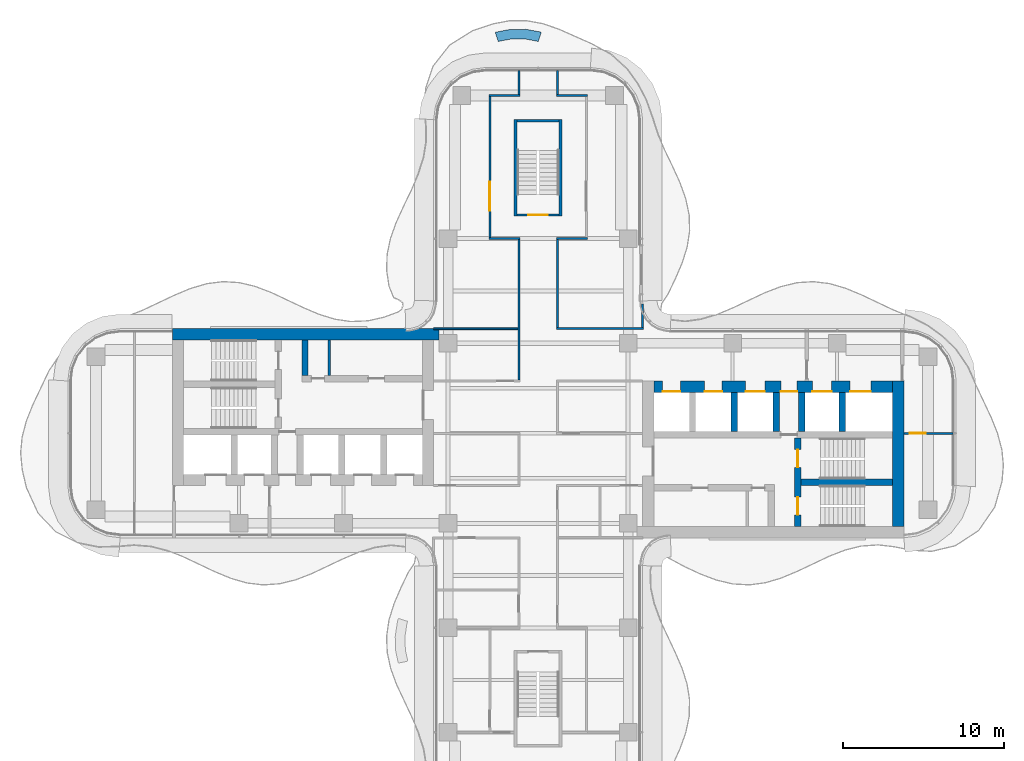
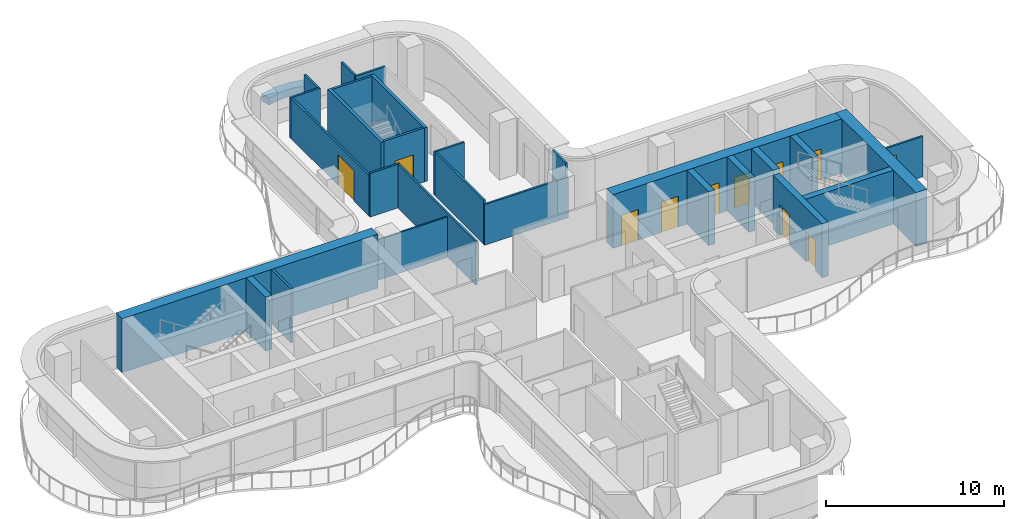
# One storey, part 15 of 18: 29 walls, 11 doors, 11 openings.
"""IFC4 building model written with IfcOpenShell, lengths in metres."""

from ifc_helpers import new_model, si_unit, direction, frame, frame_2d, origin, place, context, subcontext, project, spatial, polyline, rectangle, outline, extrude, source, transform, mapped, material, layer, layer_set, type_object, element, fill, save


model = new_model("IFC4")

# Units and contexts
model_context = context("Model", 3, precision=1e-05, world=origin(), true_north=direction((0.0, 1.0)))
body_context = subcontext(model_context, "Body", "Model", "MODEL_VIEW")
ifc_project = project(units=[si_unit("LENGTHUNIT", "METRE"), si_unit("AREAUNIT", "SQUARE_METRE"), si_unit("VOLUMEUNIT", "CUBIC_METRE"), si_unit("PLANEANGLEUNIT", "RADIAN"), si_unit("MASSUNIT", "GRAM", prefix="KILO")], contexts=[model_context])

# Site, building, storey
site_placement = place(None, origin())
site = spatial("IfcSite", under=ifc_project, at=site_placement, CompositionType="ELEMENT")
building_placement = place(site_placement, origin())
building = spatial("IfcBuilding", under=site, at=building_placement, Name="Trellis Farm Tower", CompositionType="ELEMENT")
storey_placement = place(building_placement, frame((0.0, 0.0, 224.60009765625)))
storey = spatial("IfcBuildingStorey", under=building, at=storey_placement, Name="L49", CompositionType="ELEMENT", Elevation=224.60009765625)

# Walls
ifc_material_1 = material(Name="Sandstone faced masonry planter", Category="masonry")
ifc_layer_1 = layer(ifc_material_1, 0.60009765625)
ifc_layer_set_1 = layer_set([ifc_layer_1], Name="PLANTER BED 600")
wall_type_1 = type_object("IfcWallType", Name="PLANTER BED 600", PredefinedType="USERDEFINED", material=ifc_layer_set_1)
wall_1_placement = place(storey_placement, origin())
element("IfcWall", 1, at=wall_1_placement, inside=storey, type_object=wall_type_1, Name="PLANTER bed", ObjectType="PLANTER", PredefinedType="USERDEFINED", context=body_context, shape_type="SweptSolid", body=[
    extrude(outline(polyline([(-1.714599609375, 25.121826171875), (-0.784912109375, 25.12548828125), (0.12158203125, 24.9609375), (0.20068359375, 24.934326171875), (0.009033203125, 24.36572265625), (-0.837890625, 24.525146484375), (-1.657470703125, 24.52197265625), (-2.483154296875, 24.365234375), (-2.67138671875, 24.934814453125), (-1.714599609375, 25.121826171875)])), origin(), (0.0, 0.0, 1.0), 0.5),
])
ifc_material_2 = material(Name="Concrete C60/75", Category="concrete")
ifc_layer_2 = layer(ifc_material_2, 0.699951171875)
ifc_layer_set_2 = layer_set([ifc_layer_2], Name="CORE OUTER WALL 700 CONCRETE C60/75")
wall_type_2 = type_object("IfcWallType", Name="CORE OUTER WALL 700 CONCRETE C60/75", PredefinedType="SHEAR", material=ifc_layer_set_2)
shared_shape_1 = source(origin(), body_context, "Body", "SweptSolid", [
    extrude(rectangle(XDim=9.050048828125, YDim=0.699951171875, at=frame_2d((4.52490234375, 0.0))), origin(), (0.0, 0.0, 1.0), 3.699951171875),
])
wall_2_placement = place(storey_placement, frame((22.39990234375, -5.800048828125, 0.0), z_axis=(0.0, 0.0, 1.0), x_axis=(0.0, 1.0, 0.0)))
element("IfcWall", 2, at=wall_2_placement, inside=storey, type_object=wall_type_2, Name="Core wall", PredefinedType="SHEAR", context=body_context, shape_type="MappedRepresentation", body=[
    mapped(shared_shape_1, transform((0.0, 0.0, 0.0))),
])
ifc_layer_3 = layer(ifc_material_2, 0.39990234375)
ifc_layer_set_3 = layer_set([ifc_layer_3], Name="CORE INNER WALL 400 CONCRETE C60/75")
wall_type_3 = type_object("IfcWallType", Name="CORE INNER WALL 400 CONCRETE C60/75", PredefinedType="SHEAR", material=ifc_layer_set_3)
shared_shape_2 = source(origin(), body_context, "Body", "SweptSolid", [
    extrude(rectangle(XDim=2.449951171875, YDim=0.39990234375, at=frame_2d((1.22509765625, 0.0))), origin(), (0.0, 0.0, 1.0), 3.699951171875),
])
for number, where, z_axis, x_axis, name in (
    (3, (12.199951171875, 0.10009765625, 0.0), (0.0, 0.0, 1.0), (0.0, 1.0, 0.0), "Core wall"),
    (4, (14.800048828125, 0.10009765625, 0.0), (0.0, 0.0, 1.0), (0.0, 1.0, 0.0), "Core wall"),
    (5, (16.39990234375, 0.10009765625, 0.0), (0.0, 0.0, 1.0), (0.0, 1.0, 0.0), "Core wall"),
    (6, (18.89990234375, 0.10009765625, 0.0), (0.0, 0.0, 1.0), (0.0, 1.0, 0.0), "Core wall"),
):
    element("IfcWall", number, at=place(storey_placement, frame(where, z_axis=z_axis, x_axis=x_axis)), inside=storey, type_object=wall_type_3, Name=name, PredefinedType="SHEAR", context=body_context, shape_type="MappedRepresentation", body=[
        mapped(shared_shape_2, transform((0.0, 0.0, 0.0))),
    ])

# Wall, openings, doors
shared_shape_3 = source(origin(), body_context, "Body", "SweptSolid", [
    extrude(rectangle(XDim=14.85009765625, YDim=0.699951171875, at=frame_2d((7.425048828125, 0.0))), origin(), (0.0, 0.0, 1.0), 3.699951171875),
])
wall_3_placement = place(storey_placement, frame((7.199951171875, 2.89990234375, 0.0), z_axis=(0.0, 0.0, 1.0), x_axis=(1.0, 0.0, 0.0)))
wall_3 = element("IfcWall", 7, at=wall_3_placement, inside=storey, type_object=wall_type_2, Name="Core wall", PredefinedType="SHEAR", context=body_context, shape_type="MappedRepresentation", body=[
    mapped(shared_shape_3, transform((0.0, 0.0, 0.0))),
])
shared_shape_4 = source(origin(), body_context, "Body", "SweptSolid", [
    extrude(rectangle(XDim=1.10009765625, YDim=2.10009765625, at=frame_2d((0.550048828125, 1.050048828125))), frame((0.0, 0.360107421875, 0.0), z_axis=(0.0, -1.0, 0.0), x_axis=(1.0, 0.0, 0.0)), (0.0, 0.0, 1.0), 0.72021484375),
])
opening_1_placement = place(wall_3_placement, frame((0.550048828125, 0.0, 0.0)))
opening_1 = element("IfcOpeningElement", 8, at=opening_1_placement, cuts=wall_3, Name="Opening LD4", PredefinedType="OPENING", context=body_context, shape_type="MappedRepresentation", body=[
    mapped(shared_shape_4, transform((0.0, 0.0, 0.0))),
])
opening_2_placement = place(wall_3_placement, frame((3.14990234375, 0.0, 0.0)))
opening_2 = element("IfcOpeningElement", 9, at=opening_2_placement, cuts=wall_3, Name="Opening LD5", PredefinedType="OPENING", context=body_context, shape_type="MappedRepresentation", body=[
    mapped(shared_shape_4, transform((0.0, 0.0, 0.0))),
])
shared_shape_5 = source(origin(), body_context, "Body", "SweptSolid", [
    extrude(rectangle(XDim=1.199951171875, YDim=2.10009765625, at=frame_2d((0.60009765625, 1.050048828125))), frame((0.0, 0.360107421875, 0.0), z_axis=(0.0, -1.0, 0.0), x_axis=(1.0, 0.0, 0.0)), (0.0, 0.0, 1.0), 0.72021484375),
])
opening_3_placement = place(wall_3_placement, frame((5.699951171875, 0.0, 0.0)))
opening_3 = element("IfcOpeningElement", 10, at=opening_3_placement, cuts=wall_3, Name="Opening LD6", PredefinedType="OPENING", context=body_context, shape_type="MappedRepresentation", body=[
    mapped(shared_shape_5, transform((0.0, 0.0, 0.0))),
])
shared_shape_6 = source(origin(), body_context, "Body", "SweptSolid", [
    extrude(rectangle(XDim=1.300048828125, YDim=2.10009765625, at=frame_2d((0.64990234375, 1.050048828125))), frame((0.0, 0.360107421875, 0.0), z_axis=(0.0, -1.0, 0.0), x_axis=(1.0, 0.0, 0.0)), (0.0, 0.0, 1.0), 0.72021484375),
])
opening_4_placement = place(wall_3_placement, frame((12.199951171875, 0.0, 0.0)))
opening_4 = element("IfcOpeningElement", 11, at=opening_4_placement, cuts=wall_3, Name="Opening LD7", PredefinedType="OPENING", context=body_context, shape_type="MappedRepresentation", body=[
    mapped(shared_shape_6, transform((0.0, 0.0, 0.0))),
])
opening_5_placement = place(wall_3_placement, frame((9.85009765625, 0.0, 0.0)))
opening_5 = element("IfcOpeningElement", 12, at=opening_5_placement, cuts=wall_3, Name="Opening LD8", PredefinedType="OPENING", context=body_context, shape_type="MappedRepresentation", body=[
    mapped(shared_shape_5, transform((0.0, 0.0, 0.0))),
])
shared_shape_7 = source(origin(), body_context, "Body", "SweptSolid", [
    extrude(rectangle(XDim=1.0, YDim=2.10009765625, at=frame_2d((0.5, 1.050048828125))), frame((0.0, 0.360107421875, 0.0), z_axis=(0.0, -1.0, 0.0), x_axis=(1.0, 0.0, 0.0)), (0.0, 0.0, 1.0), 0.72021484375),
])
opening_6_placement = place(wall_3_placement, frame((7.89990234375, 0.0, 0.0)))
opening_6 = element("IfcOpeningElement", 13, at=opening_6_placement, cuts=wall_3, Name="Opening DC6", PredefinedType="OPENING", context=body_context, shape_type="MappedRepresentation", body=[
    mapped(shared_shape_7, transform((0.0, 0.0, 0.0))),
])
ifc_material_3 = material(Name="Steel", Category="steel")
door_type_1 = type_object("IfcDoorType", Name="CORE FIRE DOOR 1000 X 2100", OperationType="NOTDEFINED", PredefinedType="DOOR", material=ifc_material_3)
shared_shape_8 = source(origin(), body_context, "Body", "SweptSolid", [
    extrude(rectangle(XDim=1.0, YDim=2.10009765625, at=frame_2d((0.5, 1.050048828125))), frame((0.0, -0.27490234375, 0.0), z_axis=(0.0, -1.0, 0.0), x_axis=(1.0, 0.0, 0.0)), (0.0, 0.0, 1.0), 0.050048828125),
])
door_1_placement = place(opening_6_placement, origin())
door_1 = element("IfcDoor", 14, at=door_1_placement, inside=storey, type_object=door_type_1, Name="Core door", OperationType="SINGLE_SWING_LEFT", OverallHeight=2.10009765625, OverallWidth=1.0, PredefinedType="DOOR", context=body_context, shape_type="MappedRepresentation", body=[
    mapped(shared_shape_8, transform((0.0, 0.0, 0.0))),
])
fill(opening_6, door_1)
ifc_material_4 = material(Name="Stainless steel", Category="steel")
door_type_2 = type_object("IfcDoorType", Name="LIFT LANDING DOOR 1300 X 2100", OperationType="DOUBLE_DOOR_SLIDING", PredefinedType="DOOR", material=ifc_material_4)
shared_shape_9 = source(origin(), body_context, "Body", "SweptSolid", [
    extrude(rectangle(XDim=1.300048828125, YDim=2.10009765625, at=frame_2d((0.64990234375, 1.050048828125))), frame((0.0, -0.27490234375, 0.0), z_axis=(0.0, -1.0, 0.0), x_axis=(1.0, 0.0, 0.0)), (0.0, 0.0, 1.0), 0.050048828125),
])
door_2_placement = place(opening_4_placement, origin())
door_2 = element("IfcDoor", 15, at=door_2_placement, inside=storey, type_object=door_type_2, Name="Lift landing door", OperationType="DOUBLE_DOOR_SLIDING", OverallHeight=2.10009765625, OverallWidth=1.300048828125, PredefinedType="DOOR", context=body_context, shape_type="MappedRepresentation", body=[
    mapped(shared_shape_9, transform((0.0, 0.0, 0.0))),
])
fill(opening_4, door_2)
door_type_3 = type_object("IfcDoorType", Name="LIFT LANDING DOOR 1200 X 2100", OperationType="DOUBLE_DOOR_SLIDING", PredefinedType="DOOR", material=ifc_material_4)
shared_shape_10 = source(origin(), body_context, "Body", "SweptSolid", [
    extrude(rectangle(XDim=1.199951171875, YDim=2.10009765625, at=frame_2d((0.60009765625, 1.050048828125))), frame((0.0, -0.27490234375, 0.0), z_axis=(0.0, -1.0, 0.0), x_axis=(1.0, 0.0, 0.0)), (0.0, 0.0, 1.0), 0.050048828125),
])
door_3_placement = place(opening_3_placement, origin())
door_3 = element("IfcDoor", 16, at=door_3_placement, inside=storey, type_object=door_type_3, Name="Lift landing door", OperationType="DOUBLE_DOOR_SLIDING", OverallHeight=2.10009765625, OverallWidth=1.199951171875, PredefinedType="DOOR", context=body_context, shape_type="MappedRepresentation", body=[
    mapped(shared_shape_10, transform((0.0, 0.0, 0.0))),
])
fill(opening_3, door_3)
door_4_placement = place(opening_5_placement, origin())
door_4 = element("IfcDoor", 17, at=door_4_placement, inside=storey, type_object=door_type_3, Name="Lift landing door", OperationType="DOUBLE_DOOR_SLIDING", OverallHeight=2.10009765625, OverallWidth=1.199951171875, PredefinedType="DOOR", context=body_context, shape_type="MappedRepresentation", body=[
    mapped(shared_shape_10, transform((0.0, 0.0, 0.0))),
])
fill(opening_5, door_4)
door_type_4 = type_object("IfcDoorType", Name="LIFT LANDING DOOR 1100 X 2100", OperationType="DOUBLE_DOOR_SLIDING", PredefinedType="DOOR", material=ifc_material_4)
shared_shape_11 = source(origin(), body_context, "Body", "SweptSolid", [
    extrude(rectangle(XDim=1.10009765625, YDim=2.10009765625, at=frame_2d((0.550048828125, 1.050048828125))), frame((0.0, -0.27490234375, 0.0), z_axis=(0.0, -1.0, 0.0), x_axis=(1.0, 0.0, 0.0)), (0.0, 0.0, 1.0), 0.050048828125),
])
door_5_placement = place(opening_1_placement, origin())
door_5 = element("IfcDoor", 18, at=door_5_placement, inside=storey, type_object=door_type_4, Name="Lift landing door", OperationType="DOUBLE_DOOR_SLIDING", OverallHeight=2.10009765625, OverallWidth=1.10009765625, PredefinedType="DOOR", context=body_context, shape_type="MappedRepresentation", body=[
    mapped(shared_shape_11, transform((0.0, 0.0, 0.0))),
])
fill(opening_1, door_5)
door_6_placement = place(opening_2_placement, origin())
door_6 = element("IfcDoor", 19, at=door_6_placement, inside=storey, type_object=door_type_4, Name="Lift landing door", OperationType="DOUBLE_DOOR_SLIDING", OverallHeight=2.10009765625, OverallWidth=1.10009765625, PredefinedType="DOOR", context=body_context, shape_type="MappedRepresentation", body=[
    mapped(shared_shape_11, transform((0.0, 0.0, 0.0))),
])
fill(opening_2, door_6)

shared_shape_12 = source(origin(), body_context, "Body", "SweptSolid", [
    extrude(rectangle(XDim=5.5, YDim=0.39990234375, at=frame_2d((2.75, 0.0))), origin(), (0.0, 0.0, 1.0), 3.699951171875),
])
wall_4_placement = place(storey_placement, frame((16.14990234375, -5.800048828125, 0.0), z_axis=(0.0, 0.0, 1.0), x_axis=(0.0, 1.0, 0.0)))
wall_4 = element("IfcWall", 20, at=wall_4_placement, inside=storey, type_object=wall_type_3, Name="Core wall", PredefinedType="SHEAR", context=body_context, shape_type="MappedRepresentation", body=[
    mapped(shared_shape_12, transform((0.0, 0.0, 0.0))),
])
shared_shape_13 = source(origin(), body_context, "Body", "SweptSolid", [
    extrude(rectangle(XDim=1.10009765625, YDim=2.10009765625, at=frame_2d((0.550048828125, 1.050048828125))), frame((0.0, 0.2099609375, 0.0), z_axis=(0.0, -1.0, 0.0), x_axis=(1.0, 0.0, 0.0)), (0.0, 0.0, 1.0), 0.419921875),
])
opening_7_placement = place(wall_4_placement, frame((0.72509765625, 0.0, 0.0)))
opening_7 = element("IfcOpeningElement", 21, at=opening_7_placement, cuts=wall_4, Name="Opening DC2", PredefinedType="OPENING", context=body_context, shape_type="MappedRepresentation", body=[
    mapped(shared_shape_13, transform((0.0, 0.0, 0.0))),
])
opening_8_placement = place(wall_4_placement, frame((3.675048828125, 0.0, 0.0)))
opening_8 = element("IfcOpeningElement", 22, at=opening_8_placement, cuts=wall_4, Name="Opening DC3", PredefinedType="OPENING", context=body_context, shape_type="MappedRepresentation", body=[
    mapped(shared_shape_13, transform((0.0, 0.0, 0.0))),
])
door_type_5 = type_object("IfcDoorType", Name="CORE FIRE DOOR 1100 X 2100", OperationType="NOTDEFINED", PredefinedType="DOOR", material=ifc_material_3)
shared_shape_14 = source(origin(), body_context, "Body", "SweptSolid", [
    extrude(rectangle(XDim=1.10009765625, YDim=2.10009765625, at=frame_2d((0.550048828125, 1.050048828125))), frame((0.0, 0.02490234375, 0.0), z_axis=(0.0, -1.0, 0.0), x_axis=(1.0, 0.0, 0.0)), (0.0, 0.0, 1.0), 0.050048828125),
])
door_7_placement = place(opening_7_placement, origin())
door_7 = element("IfcDoor", 23, at=door_7_placement, inside=storey, type_object=door_type_5, Name="Core door", OperationType="SINGLE_SWING_RIGHT", OverallHeight=2.10009765625, OverallWidth=1.10009765625, PredefinedType="DOOR", context=body_context, shape_type="MappedRepresentation", body=[
    mapped(shared_shape_14, transform((0.0, 0.0, 0.0))),
])
fill(opening_7, door_7)
door_8_placement = place(opening_8_placement, origin())
door_8 = element("IfcDoor", 24, at=door_8_placement, inside=storey, type_object=door_type_5, Name="Core door", OperationType="SINGLE_SWING_LEFT", OverallHeight=2.10009765625, OverallWidth=1.10009765625, PredefinedType="DOOR", context=body_context, shape_type="MappedRepresentation", body=[
    mapped(shared_shape_14, transform((0.0, 0.0, 0.0))),
])
fill(opening_8, door_8)

# Walls
shared_shape_15 = source(origin(), body_context, "Body", "SweptSolid", [
    extrude(rectangle(XDim=5.699951171875, YDim=0.39990234375, at=frame_2d((2.85009765625, 0.0))), origin(), (0.0, 0.0, 1.0), 3.699951171875),
])
wall_5_placement = place(storey_placement, frame((16.35009765625, -3.050048828125, 0.0), z_axis=(0.0, 0.0, 1.0), x_axis=(1.0, 0.0, 0.0)))
element("IfcWall", 25, at=wall_5_placement, inside=storey, type_object=wall_type_3, Name="Core wall", PredefinedType="SHEAR", context=body_context, shape_type="MappedRepresentation", body=[
    mapped(shared_shape_15, transform((0.0, 0.0, 0.0))),
])
shared_shape_16 = source(origin(), body_context, "Body", "SweptSolid", [
    extrude(rectangle(XDim=2.199951171875, YDim=0.39990234375, at=frame_2d((1.10009765625, 0.0))), origin(), (0.0, 0.0, 1.0), 3.699951171875),
])
wall_6_placement = place(storey_placement, frame((-14.5, 5.800048828125, 0.0), z_axis=(0.0, 0.0, 1.0), x_axis=(0.0, -1.0, 0.0)))
element("IfcWall", 26, at=wall_6_placement, inside=storey, type_object=wall_type_3, Name="Core wall", PredefinedType="SHEAR", context=body_context, shape_type="MappedRepresentation", body=[
    mapped(shared_shape_16, transform((0.0, 0.0, 0.0))),
])
ifc_material_5 = material(Name="Masonry blockwork", Category="masonry")
ifc_layer_4 = layer(ifc_material_5, 0.14990234375)
ifc_layer_set_4 = layer_set([ifc_layer_4], Name="CORE PARTITION 150 BLOCKWORK")
wall_type_4 = type_object("IfcWallType", Name="CORE PARTITION 150 BLOCKWORK", PredefinedType="PARTITIONING", material=ifc_layer_set_4)
shared_shape_17 = source(origin(), body_context, "Body", "SweptSolid", [
    extrude(rectangle(XDim=2.199951171875, YDim=0.14990234375, at=frame_2d((1.10009765625, 0.0))), origin(), (0.0, 0.0, 1.0), 3.699951171875),
])
wall_7_placement = place(storey_placement, frame((-13.0, 5.800048828125, 0.0), z_axis=(0.0, 0.0, 1.0), x_axis=(0.0, -1.0, 0.0)))
element("IfcWall", 27, at=wall_7_placement, inside=storey, type_object=wall_type_4, Name="Core room partition", PredefinedType="PARTITIONING", context=body_context, shape_type="MappedRepresentation", body=[
    mapped(shared_shape_17, transform((0.0, 0.0, 0.0))),
])
shared_shape_18 = source(origin(), body_context, "Body", "SweptSolid", [
    extrude(rectangle(XDim=16.60009765625, YDim=0.699951171875, at=frame_2d((8.300048828125, 0.0))), origin(), (0.0, 0.0, 1.0), 3.699951171875),
])
wall_8_placement = place(storey_placement, frame((-6.14990234375, 6.14990234375, 0.0), z_axis=(0.0, 0.0, 1.0), x_axis=(-1.0, 0.0, 0.0)))
element("IfcWall", 28, at=wall_8_placement, inside=storey, type_object=wall_type_2, Name="Core wall", PredefinedType="SHEAR", context=body_context, shape_type="MappedRepresentation", body=[
    mapped(shared_shape_18, transform((0.0, 0.0, 0.0))),
])
ifc_layer_5 = layer(ifc_material_2, 0.199951171875)
ifc_layer_set_5 = layer_set([ifc_layer_5], Name="CORE STAIR ENCLOSURE WALL 200 CONCRETE C60/75")
wall_type_5 = type_object("IfcWallType", Name="CORE STAIR ENCLOSURE WALL 200 CONCRETE C60/75", PredefinedType="SHEAR", material=ifc_layer_set_5)
shared_shape_19 = source(origin(), body_context, "Body", "SweptSolid", [
    extrude(rectangle(XDim=6.0, YDim=0.199951171875, at=frame_2d((3.0, 0.0))), origin(), (0.0, 0.0, 1.0), 3.699951171875),
])
for number, where, z_axis, x_axis, name in (
    (29, (-1.39990234375, 13.5, 0.0), (0.0, 0.0, 1.0), (0.0, 1.0, 0.0), "Stair enclosure wall"),
    (30, (1.39990234375, 13.5, 0.0), (0.0, 0.0, 1.0), (0.0, 1.0, 0.0), "Stair enclosure wall"),
):
    element("IfcWall", number, at=place(storey_placement, frame(where, z_axis=z_axis, x_axis=x_axis)), inside=storey, type_object=wall_type_5, Name=name, PredefinedType="SHEAR", context=body_context, shape_type="MappedRepresentation", body=[
        mapped(shared_shape_19, transform((0.0, 0.0, 0.0))),
    ])

# Wall, opening, door
ifc_layer_6 = layer(ifc_material_2, 0.14990234375)
ifc_layer_set_6 = layer_set([ifc_layer_6], Name="CORE STAIR ENCLOSURE WALL 150 CONCRETE C60/75")
wall_type_6 = type_object("IfcWallType", Name="CORE STAIR ENCLOSURE WALL 150 CONCRETE C60/75", PredefinedType="SHEAR", material=ifc_layer_set_6)
shared_shape_20 = source(origin(), body_context, "Body", "SweptSolid", [
    extrude(rectangle(XDim=2.60009765625, YDim=0.14990234375, at=frame_2d((1.300048828125, 0.0))), origin(), (0.0, 0.0, 1.0), 3.699951171875),
])
wall_9_placement = place(storey_placement, frame((-1.300048828125, 13.574951171875, 0.0), z_axis=(0.0, 0.0, 1.0), x_axis=(1.0, 0.0, 0.0)))
wall_9 = element("IfcWall", 31, at=wall_9_placement, inside=storey, type_object=wall_type_6, Name="Stair enclosure wall", PredefinedType="SHEAR", context=body_context, shape_type="MappedRepresentation", body=[
    mapped(shared_shape_20, transform((0.0, 0.0, 0.0))),
])
shared_shape_21 = source(origin(), body_context, "Body", "SweptSolid", [
    extrude(rectangle(XDim=1.199951171875, YDim=2.10009765625, at=frame_2d((0.60009765625, 1.050048828125))), frame((0.0, 0.0849609375, 0.0), z_axis=(0.0, -1.0, 0.0), x_axis=(1.0, 0.0, 0.0)), (0.0, 0.0, 1.0), 0.169921875),
])
opening_9_placement = place(wall_9_placement, frame((0.699951171875, 0.0, 0.0)))
opening_9 = element("IfcOpeningElement", 32, at=opening_9_placement, cuts=wall_9, Name="Opening DC173", PredefinedType="OPENING", context=body_context, shape_type="MappedRepresentation", body=[
    mapped(shared_shape_21, transform((0.0, 0.0, 0.0))),
])
door_type_6 = type_object("IfcDoorType", Name="CORE FIRE DOOR 1200 X 2100", OperationType="NOTDEFINED", PredefinedType="DOOR", material=ifc_material_3)
shared_shape_22 = source(origin(), body_context, "Body", "SweptSolid", [
    extrude(rectangle(XDim=1.199951171875, YDim=2.10009765625, at=frame_2d((0.60009765625, 1.050048828125))), frame((0.0, 0.02490234375, 0.0), z_axis=(0.0, -1.0, 0.0), x_axis=(1.0, 0.0, 0.0)), (0.0, 0.0, 1.0), 0.050048828125),
])
door_9_placement = place(opening_9_placement, origin())
door_9 = element("IfcDoor", 33, at=door_9_placement, inside=storey, type_object=door_type_6, Name="Core door", OperationType="SINGLE_SWING_LEFT", OverallHeight=2.10009765625, OverallWidth=1.199951171875, PredefinedType="DOOR", context=body_context, shape_type="MappedRepresentation", body=[
    mapped(shared_shape_22, transform((0.0, 0.0, 0.0))),
])
fill(opening_9, door_9)

# Walls
wall_10_placement = place(storey_placement, frame((-1.300048828125, 19.425048828125, 0.0), z_axis=(0.0, 0.0, 1.0), x_axis=(1.0, 0.0, 0.0)))
element("IfcWall", 34, at=wall_10_placement, inside=storey, type_object=wall_type_6, Name="Stair enclosure wall", PredefinedType="SHEAR", context=body_context, shape_type="MappedRepresentation", body=[
    mapped(shared_shape_20, transform((0.0, 0.0, 0.0))),
])
ifc_material_6 = material(Name="Plasterboard on steel studs, mineral wool", Category="steel")
ifc_layer_7 = layer(ifc_material_6, 0.125)
ifc_layer_set_7 = layer_set([ifc_layer_7], Name="PARTITION 125 STUD EI 60")
wall_type_7 = type_object("IfcWallType", Name="PARTITION 125 STUD EI 60", PredefinedType="PARTITIONING", material=ifc_layer_set_7)
shared_shape_23 = source(origin(), body_context, "Body", "SweptSolid", [
    extrude(rectangle(XDim=5.47509765625, YDim=0.125, at=frame_2d((2.737548828125, 0.0))), origin(), (0.0, 0.0, 1.0), 2.99658203125),
])
wall_11_placement = place(storey_placement, frame((1.199951171875, 12.03759765625, 0.0), z_axis=(0.0, 0.0, 1.0), x_axis=(0.0, -1.0, 0.0)))
element("IfcWall", 35, at=wall_11_placement, inside=storey, type_object=wall_type_7, Name="Partition PW1", PredefinedType="PARTITIONING", context=body_context, shape_type="MappedRepresentation", body=[
    mapped(shared_shape_23, transform((0.0, 0.0, 0.0))),
])
shared_shape_24 = source(origin(), body_context, "Body", "SweptSolid", [
    extrude(rectangle(XDim=1.468994140625, YDim=0.125, at=frame_2d((0.734375, 0.0))), origin(), (0.0, 0.0, 1.0), 3.699951171875),
])
wall_12_placement = place(storey_placement, frame((6.5, 6.5625, 0.0), z_axis=(0.0, 0.0, 1.0), x_axis=(0.0, 1.0, 0.0)))
element("IfcWall", 36, at=wall_12_placement, inside=storey, type_object=wall_type_7, Name="Partition PW1", PredefinedType="PARTITIONING", context=body_context, shape_type="MappedRepresentation", body=[
    mapped(shared_shape_24, transform((0.0, 0.0, 0.0))),
])
shared_shape_25 = source(origin(), body_context, "Body", "SweptSolid", [
    extrude(rectangle(XDim=8.72509765625, YDim=0.125, at=frame_2d((4.362548828125, 0.0))), origin(), (0.0, 0.0, 1.0), 2.99658203125),
])
wall_13_placement = place(storey_placement, frame((-1.199951171875, 12.03759765625, 0.0), z_axis=(0.0, 0.0, 1.0), x_axis=(0.0, -1.0, 0.0)))
element("IfcWall", 37, at=wall_13_placement, inside=storey, type_object=wall_type_7, Name="Partition PW1", PredefinedType="PARTITIONING", context=body_context, shape_type="MappedRepresentation", body=[
    mapped(shared_shape_25, transform((0.0, 0.0, 0.0))),
])
shared_shape_26 = source(origin(), body_context, "Body", "SweptSolid", [
    extrude(rectangle(XDim=1.925048828125, YDim=0.125, at=frame_2d((0.96240234375, 0.0))), origin(), (0.0, 0.0, 1.0), 2.99658203125),
])
for number, where, z_axis, x_axis, name in (
    (38, (-1.137451171875, 12.10009765625, 0.0), (0.0, 0.0, 1.0), (-1.0, 0.0, 0.0), "Partition PW1"),
    (39, (3.0625, 12.10009765625, 0.0), (0.0, 0.0, 1.0), (-1.0, 0.0, 0.0), "Partition PW1"),
):
    element("IfcWall", number, at=place(storey_placement, frame(where, z_axis=z_axis, x_axis=x_axis)), inside=storey, type_object=wall_type_7, Name=name, PredefinedType="PARTITIONING", context=body_context, shape_type="MappedRepresentation", body=[
        mapped(shared_shape_26, transform((0.0, 0.0, 0.0))),
    ])
shared_shape_27 = source(origin(), body_context, "Body", "SweptSolid", [
    extrude(rectangle(XDim=5.425048828125, YDim=0.125, at=frame_2d((2.71240234375, 0.0))), origin(), (0.0, 0.0, 1.0), 2.77978515625),
])
wall_14_placement = place(storey_placement, frame((1.137451171875, 6.5, 0.0), z_axis=(0.0, 0.0, 1.0), x_axis=(1.0, 0.0, 0.0)))
element("IfcWall", 40, at=wall_14_placement, inside=storey, type_object=wall_type_7, Name="Partition PW1", PredefinedType="PARTITIONING", context=body_context, shape_type="MappedRepresentation", body=[
    mapped(shared_shape_27, transform((0.0, 0.0, 0.0))),
])
shared_shape_28 = source(origin(), body_context, "Body", "SweptSolid", [
    extrude(rectangle(XDim=1.487548828125, YDim=0.125, at=frame_2d((0.74365234375, 0.0))), origin(), (0.0, 0.0, 1.0), 2.77978515625),
])
for number, where, z_axis, x_axis, name in (
    (41, (-1.199951171875, 22.550048828125, 0.0), (0.0, 0.0, 1.0), (0.0, -1.0, 0.0), "Partition PW1"),
    (42, (1.199951171875, 22.550048828125, 0.0), (0.0, 0.0, 1.0), (0.0, -1.0, 0.0), "Partition PW1"),
):
    element("IfcWall", number, at=place(storey_placement, frame(where, z_axis=z_axis, x_axis=x_axis)), inside=storey, type_object=wall_type_7, Name=name, PredefinedType="PARTITIONING", context=body_context, shape_type="MappedRepresentation", body=[
        mapped(shared_shape_28, transform((0.0, 0.0, 0.0))),
    ])
ifc_material_7 = material(Name="Plasterboard on steel studs", Category="steel")
ifc_layer_8 = layer(ifc_material_7, 0.10009765625)
ifc_layer_set_8 = layer_set([ifc_layer_8], Name="PARTITION 100 STUD EI 30")
wall_type_8 = type_object("IfcWallType", Name="PARTITION 100 STUD EI 30", PredefinedType="PARTITIONING", material=ifc_layer_set_8)
shared_shape_29 = source(origin(), body_context, "Body", "SweptSolid", [
    extrude(rectangle(XDim=5.237548828125, YDim=0.10009765625, at=frame_2d((2.61865234375, 0.0))), origin(), (0.0, 0.0, 1.0), 2.77978515625),
])
wall_15_placement = place(storey_placement, frame((-6.5, 6.5, 0.0), z_axis=(0.0, 0.0, 1.0), x_axis=(1.0, 0.0, 0.0)))
element("IfcWall", 43, at=wall_15_placement, inside=storey, type_object=wall_type_8, Name="Partition PW2", PredefinedType="PARTITIONING", context=body_context, shape_type="MappedRepresentation", body=[
    mapped(shared_shape_29, transform((0.0, 0.0, 0.0))),
])
shared_shape_30 = source(origin(), body_context, "Body", "SweptSolid", [
    extrude(rectangle(XDim=1.925048828125, YDim=0.125, at=frame_2d((0.96240234375, 0.0))), origin(), (0.0, 0.0, 1.0), 2.77978515625),
])
for number, where, z_axis, x_axis, name in (
    (44, (-3.0625, 21.0, 0.0), (0.0, 0.0, 1.0), (1.0, 0.0, 0.0), "Partition PW1"),
    (45, (1.137451171875, 21.0, 0.0), (0.0, 0.0, 1.0), (1.0, 0.0, 0.0), "Partition PW1"),
):
    element("IfcWall", number, at=place(storey_placement, frame(where, z_axis=z_axis, x_axis=x_axis)), inside=storey, type_object=wall_type_7, Name=name, PredefinedType="PARTITIONING", context=body_context, shape_type="MappedRepresentation", body=[
        mapped(shared_shape_30, transform((0.0, 0.0, 0.0))),
    ])

# Wall, opening, door
shared_shape_31 = source(origin(), body_context, "Body", "SweptSolid", [
    extrude(rectangle(XDim=8.77490234375, YDim=0.125, at=frame_2d((4.387451171875, 0.0))), origin(), (0.0, 0.0, 1.0), 2.77978515625),
])
wall_16_placement = place(storey_placement, frame((-3.0, 12.16259765625, 0.0), z_axis=(0.0, 0.0, 1.0), x_axis=(0.0, 1.0, 0.0)))
wall_16 = element("IfcWall", 46, at=wall_16_placement, inside=storey, type_object=wall_type_7, Name="Partition PW1", PredefinedType="PARTITIONING", context=body_context, shape_type="MappedRepresentation", body=[
    mapped(shared_shape_31, transform((0.0, 0.0, 0.0))),
])
shared_shape_32 = source(origin(), body_context, "Body", "SweptSolid", [
    extrude(rectangle(XDim=1.800048828125, YDim=2.10009765625, at=frame_2d((0.89990234375, 1.050048828125))), frame((0.0, 0.072509765625, 0.0), z_axis=(0.0, -1.0, 0.0), x_axis=(1.0, 0.0, 0.0)), (0.0, 0.0, 1.0), 0.14501953125),
])
opening_10_placement = place(wall_16_placement, frame((1.6875, 0.0, 0.0)))
opening_10 = element("IfcOpeningElement", 47, at=opening_10_placement, cuts=wall_16, Name="Opening D202", PredefinedType="OPENING", context=body_context, shape_type="MappedRepresentation", body=[
    mapped(shared_shape_32, transform((0.0, 0.0, 0.0))),
])
ifc_material_8 = material(Name="Fire-rated timber door leaf in a hollow metal frame", Category="wood")
door_type_7 = type_object("IfcDoorType", Name="DOOR PAIR 1800x2100 FD30S", OperationType="NOTDEFINED", PredefinedType="DOOR", material=ifc_material_8)
shared_shape_33 = source(origin(), body_context, "Body", "SweptSolid", [
    extrude(rectangle(XDim=1.800048828125, YDim=2.10009765625, at=frame_2d((0.89990234375, 1.050048828125))), frame((0.0, 0.02490234375, 0.0), z_axis=(0.0, -1.0, 0.0), x_axis=(1.0, 0.0, 0.0)), (0.0, 0.0, 1.0), 0.050048828125),
])
door_10_placement = place(opening_10_placement, origin())
door_10 = element("IfcDoor", 48, at=door_10_placement, inside=storey, type_object=door_type_7, Name="Door D202", OperationType="DOUBLE_DOOR_SINGLE_SWING", OverallHeight=2.10009765625, OverallWidth=1.800048828125, PredefinedType="DOOR", context=body_context, shape_type="MappedRepresentation", body=[
    mapped(shared_shape_33, transform((0.0, 0.0, 0.0))),
])
fill(opening_10, door_10)

shared_shape_34 = source(origin(), body_context, "Body", "SweptSolid", [
    extrude(rectangle(XDim=3.050048828125, YDim=0.125, at=frame_2d((1.52490234375, 0.0))), origin(), (0.0, 0.0, 1.0), 2.77978515625),
])
wall_17_placement = place(storey_placement, frame((25.800048828125, 0.0, 0.0), z_axis=(0.0, 0.0, 1.0), x_axis=(-1.0, 0.0, 0.0)))
wall_17 = element("IfcWall", 49, at=wall_17_placement, inside=storey, type_object=wall_type_7, Name="Partition PW1", PredefinedType="PARTITIONING", context=body_context, shape_type="MappedRepresentation", body=[
    mapped(shared_shape_34, transform((0.0, 0.0, 0.0))),
])
shared_shape_35 = source(origin(), body_context, "Body", "SweptSolid", [
    extrude(rectangle(XDim=1.0, YDim=2.10009765625, at=frame_2d((0.5, 1.050048828125))), frame((0.0, 0.072509765625, 0.0), z_axis=(0.0, -1.0, 0.0), x_axis=(1.0, 0.0, 0.0)), (0.0, 0.0, 1.0), 0.14501953125),
])
opening_11_placement = place(wall_17_placement, frame((1.699951171875, 0.0, 0.0)))
opening_11 = element("IfcOpeningElement", 50, at=opening_11_placement, cuts=wall_17, Name="Opening D109", PredefinedType="OPENING", context=body_context, shape_type="MappedRepresentation", body=[
    mapped(shared_shape_35, transform((0.0, 0.0, 0.0))),
])
door_type_8 = type_object("IfcDoorType", Name="DOOR 1000x2100 FD30S", OperationType="NOTDEFINED", PredefinedType="DOOR", material=ifc_material_8)
shared_shape_36 = source(origin(), body_context, "Body", "SweptSolid", [
    extrude(rectangle(XDim=1.0, YDim=2.10009765625, at=frame_2d((0.5, 1.050048828125))), frame((0.0, 0.02490234375, 0.0), z_axis=(0.0, -1.0, 0.0), x_axis=(1.0, 0.0, 0.0)), (0.0, 0.0, 1.0), 0.050048828125),
])
door_11_placement = place(opening_11_placement, origin())
door_11 = element("IfcDoor", 51, at=door_11_placement, inside=storey, type_object=door_type_8, Name="Door D109", OperationType="SINGLE_SWING_RIGHT", OverallHeight=2.10009765625, OverallWidth=1.0, PredefinedType="DOOR", context=body_context, shape_type="MappedRepresentation", body=[
    mapped(shared_shape_36, transform((0.0, 0.0, 0.0))),
])
fill(opening_11, door_11)

save(model, "model.ifc")
